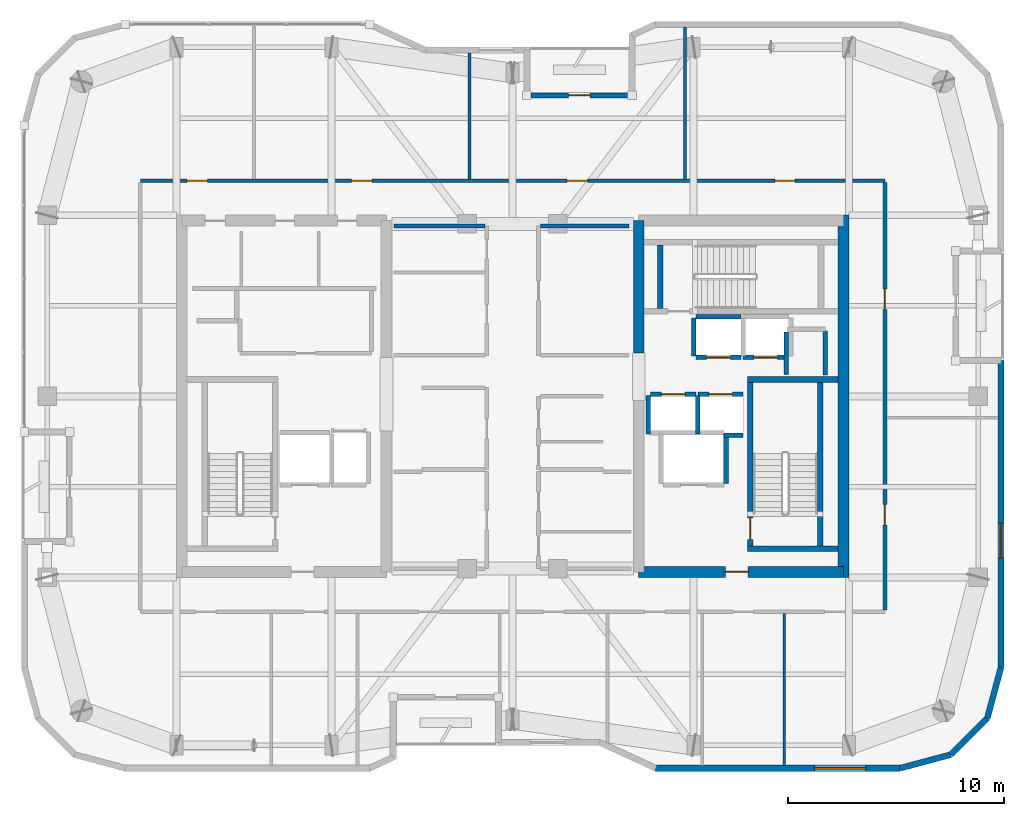
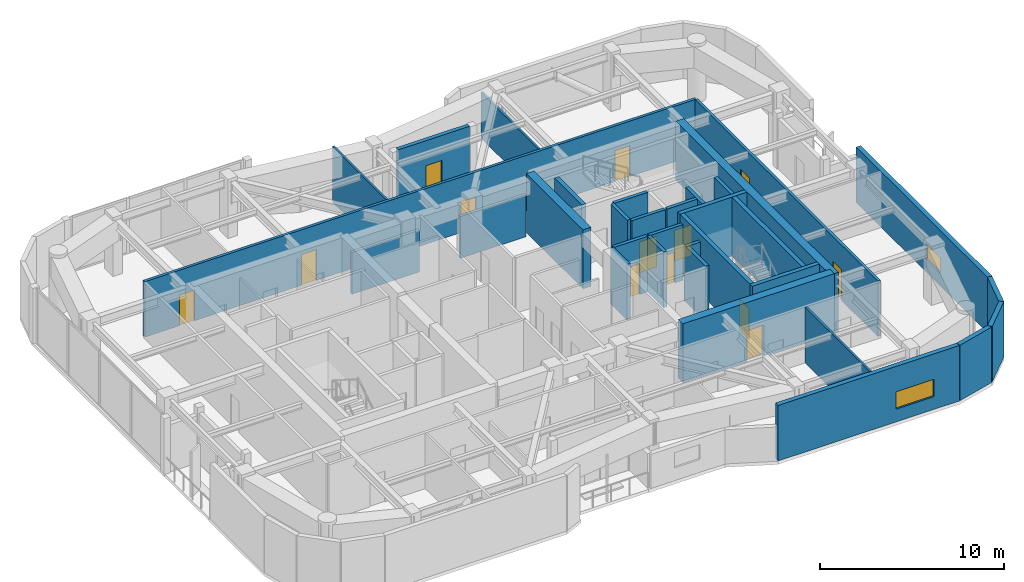
# One storey, part 12 of 15: 33 walls, 13 doors, 2 windows, 15 openings.
"""IFC4 building model written with IfcOpenShell, lengths in metres."""

from ifc_helpers import new_model, si_unit, direction, frame, frame_2d, origin, place, context, subcontext, project, spatial, rectangle, extrude, material, layer, layer_set, type_object, element, fill, save


model = new_model("IFC4")

# Units and contexts
model_context = context("Model", 3, precision=1e-05, world=origin(), true_north=direction((0.0, 1.0)))
body_context = subcontext(model_context, "Body", "Model", "MODEL_VIEW")
ifc_project = project(units=[si_unit("LENGTHUNIT", "METRE"), si_unit("AREAUNIT", "SQUARE_METRE"), si_unit("VOLUMEUNIT", "CUBIC_METRE"), si_unit("PLANEANGLEUNIT", "RADIAN"), si_unit("MASSUNIT", "GRAM", prefix="KILO")], contexts=[model_context])

# Site, building, storey
site_placement = place(None, origin())
site = spatial("IfcSite", under=ifc_project, at=site_placement, CompositionType="ELEMENT")
building_placement = place(site_placement, origin())
building = spatial("IfcBuilding", under=site, at=building_placement, Name="Kiyonajd Concourse Tower", CompositionType="ELEMENT")
storey_placement = place(building_placement, frame((0.0, 0.0, 318.0)))
storey = spatial("IfcBuildingStorey", under=building, at=storey_placement, Name="L80", CompositionType="ELEMENT", Elevation=318.0)

# Walls
ifc_material_1 = material(Name="Concrete C60/75", Category="concrete")
ifc_layer_1 = layer(ifc_material_1, 0.5)
ifc_layer_set_1 = layer_set([ifc_layer_1], Name="Concrete C60/75")
wall_type_1 = type_object("IfcWallType", Name="WL-CORE-500", PredefinedType="SHEAR", material=ifc_layer_set_1)
wall_1_placement = place(storey_placement, frame((53.85009765625, 38.0, 0.0), z_axis=(0.0, 0.0, 1.0), x_axis=(0.0, 1.0, 0.0)))
element("IfcWall", 1, at=wall_1_placement, inside=storey, type_object=wall_type_1, Name="L80 East Core Inner North Shear Wall", PredefinedType="SHEAR", context=body_context, shape_type="SweptSolid", body=[
    extrude(rectangle(XDim=6.14990234375, YDim=0.5, at=frame_2d((3.074951171875, 0.0))), origin(), (0.0, 0.0, 1.0), 3.89990234375),
])
wall_2_placement = place(storey_placement, frame((63.35009765625, 27.60009765625, 0.0), z_axis=(0.0, 0.0, 1.0), x_axis=(0.0, 1.0, 0.0)))
element("IfcWall", 2, at=wall_2_placement, inside=storey, type_object=wall_type_1, Name="L80 East Core Outer Shear Wall", PredefinedType="SHEAR", context=body_context, shape_type="SweptSolid", body=[
    extrude(rectangle(XDim=16.7998046875, YDim=0.5, at=frame_2d((8.39990234375, 0.0))), origin(), (0.0, 0.0, 1.0), 3.89990234375),
])

# Wall, opening, door
wall_3_placement = place(storey_placement, frame((53.85009765625, 27.85009765625, 0.0), z_axis=(0.0, 0.0, 1.0), x_axis=(1.0, 0.0, 0.0)))
wall_3 = element("IfcWall", 3, at=wall_3_placement, inside=storey, type_object=wall_type_1, Name="L80 East Core South Shear Wall", PredefinedType="SHEAR", context=body_context, shape_type="SweptSolid", body=[
    extrude(rectangle(XDim=9.5, YDim=0.5, at=frame_2d((4.75, 0.0))), origin(), (0.0, 0.0, 1.0), 3.89990234375),
])
opening_1_placement = place(wall_3_placement, frame((4.02490234375, 0.0, 0.0)))
opening_1 = element("IfcOpeningElement", 4, at=opening_1_placement, cuts=wall_3, Name="Opening DF5", PredefinedType="OPENING", context=body_context, shape_type="SweptSolid", body=[
    extrude(rectangle(XDim=1.050048828125, YDim=2.0400390625, at=frame_2d((0.52490234375, 1.02001953125))), frame((0.0, 0.260009765625, 0.0), z_axis=(0.0, -1.0, 0.0), x_axis=(1.0, 0.0, 0.0)), (0.0, 0.0, 1.0), 0.52001953125),
])
ifc_material_2 = material(Name="Brushed Stainless Steel Cab Assembly", Category="steel")
door_type_1 = type_object("IfcDoorType", Name="DR-FD45-1050", OperationType="NOTDEFINED", PredefinedType="DOOR", material=ifc_material_2)
door_1_placement = place(opening_1_placement, origin())
door_1 = element("IfcDoor", 5, at=door_1_placement, inside=storey, type_object=door_type_1, Name="L80 Firefighting Lift Lobby E Smoke Door", OperationType="SINGLE_SWING_RIGHT", OverallHeight=2.0400390625, OverallWidth=1.050048828125, PredefinedType="DOOR", context=body_context, shape_type="SweptSolid", body=[
    extrude(rectangle(XDim=1.050048828125, YDim=2.0400390625, at=frame_2d((0.52490234375, 1.02001953125))), frame((0.0, 0.02490234375, 0.0), z_axis=(0.0, -1.0, 0.0), x_axis=(1.0, 0.0, 0.0)), (0.0, 0.0, 1.0), 0.050048828125),
])
fill(opening_1, door_1)

# Wall, opening, window
ifc_material_3 = material(Name="Precast concrete C50/60", Category="concrete")
ifc_layer_2 = layer(ifc_material_3, 0.280029296875)
ifc_layer_set_2 = layer_set([ifc_layer_2], Name="Precast concrete C50/60")
wall_type_2 = type_object("IfcWallType", Name="WL-EXT-280", PredefinedType="SOLIDWALL", material=ifc_layer_set_2)
wall_4_placement = place(storey_placement, frame((70.659912109375, 37.659912109375, 0.0), z_axis=(0.0, 0.0, 1.0), x_axis=(0.0, -1.0, 0.0)))
wall_4 = element("IfcWall", 6, at=wall_4_placement, inside=storey, type_object=wall_type_2, Name="L80 Exterior Concrete Frame Wall 24", PredefinedType="SOLIDWALL", context=body_context, shape_type="SweptSolid", body=[
    extrude(rectangle(XDim=14.241455078125, YDim=0.280029296875, at=frame_2d((7.12060546875, 0.0))), origin(), (0.0, 0.0, 1.0), 3.679931640625),
])
opening_2_placement = place(wall_4_placement, frame((7.555908203125, 0.0, 0.85009765625)))
opening_2 = element("IfcOpeningElement", 7, at=opening_2_placement, cuts=wall_4, Name="Opening WN6", PredefinedType="OPENING", context=body_context, shape_type="SweptSolid", body=[
    extrude(rectangle(XDim=1.60009765625, YDim=1.0, at=frame_2d((0.800048828125, 0.5))), frame((0.0, 0.14990234375, 0.0), z_axis=(0.0, -1.0, 0.0), x_axis=(1.0, 0.0, 0.0)), (0.0, 0.0, 1.0), 0.300048828125),
])
ifc_material_4 = material(Name="Double Low-E Insulated Glass", Category="glass")
window_type_1 = type_object("IfcWindowType", Name="WN-VIS-1600x1000", PartitioningType="SINGLE_PANEL", PredefinedType="WINDOW", material=ifc_material_4)
window_1_placement = place(opening_2_placement, origin())
window_1 = element("IfcWindow", 8, at=window_1_placement, inside=storey, type_object=window_type_1, Name="L80 Modular Facade Vision Window 24", OverallHeight=1.0, OverallWidth=1.60009765625, PartitioningType="SINGLE_PANEL", PredefinedType="WINDOW", context=body_context, shape_type="SweptSolid", body=[
    extrude(rectangle(XDim=1.60009765625, YDim=1.0, at=frame_2d((0.800048828125, 0.5))), frame((0.0, 0.030029296875, 0.0), z_axis=(0.0, -1.0, 0.0), x_axis=(1.0, 0.0, 0.0)), (0.0, 0.0, 1.0), 0.06005859375),
])
fill(opening_2, window_1)

# Walls
wall_5_placement = place(storey_placement, frame((70.659912109375, 23.41845703125, 0.0), z_axis=(0.0, 0.0, 1.0), x_axis=(-0.258751159445, -0.965944013639, 0.0)))
element("IfcWall", 9, at=wall_5_placement, inside=storey, type_object=wall_type_2, Name="L80 Exterior Concrete Frame Wall 25", PredefinedType="SOLIDWALL", context=body_context, shape_type="SweptSolid", body=[
    extrude(rectangle(XDim=2.4287109375, YDim=0.280029296875, at=frame_2d((1.21435546875, 0.0))), origin(), (0.0, 0.0, 1.0), 3.679931640625),
])
wall_6_placement = place(storey_placement, frame((70.031494140625, 21.072509765625, 0.0), z_axis=(0.0, 0.0, 1.0), x_axis=(-0.707106781187, -0.707106781187, 0.0)))
element("IfcWall", 10, at=wall_6_placement, inside=storey, type_object=wall_type_2, Name="L80 Exterior Concrete Frame Wall 26", PredefinedType="SOLIDWALL", context=body_context, shape_type="SweptSolid", body=[
    extrude(rectangle(XDim=2.409912109375, YDim=0.280029296875, at=frame_2d((1.205078125, 0.0))), origin(), (0.0, 0.0, 1.0), 3.679931640625),
])
wall_7_placement = place(storey_placement, frame((68.327392578125, 19.368408203125, 0.0), z_axis=(0.0, 0.0, 1.0), x_axis=(-0.965937282298, -0.25877628691, 0.0)))
element("IfcWall", 11, at=wall_7_placement, inside=storey, type_object=wall_type_2, Name="L80 Exterior Concrete Frame Wall 27", PredefinedType="SOLIDWALL", context=body_context, shape_type="SweptSolid", body=[
    extrude(rectangle(XDim=2.428466796875, YDim=0.280029296875, at=frame_2d((1.21435546875, 0.0))), origin(), (0.0, 0.0, 1.0), 3.679931640625),
])

# Wall, opening, window
wall_8_placement = place(storey_placement, frame((65.981689453125, 18.739990234375, 0.0), z_axis=(0.0, 0.0, 1.0), x_axis=(-1.0, 0.0, 0.0)))
wall_8 = element("IfcWall", 12, at=wall_8_placement, inside=storey, type_object=wall_type_2, Name="L80 Exterior Concrete Frame Wall 28", PredefinedType="SOLIDWALL", context=body_context, shape_type="SweptSolid", body=[
    extrude(rectangle(XDim=11.35107421875, YDim=0.280029296875, at=frame_2d((5.675537109375, 0.0))), origin(), (0.0, 0.0, 1.0), 3.679931640625),
])
opening_3_placement = place(wall_8_placement, frame((1.5859375, 0.0, 0.85009765625)))
opening_3 = element("IfcOpeningElement", 13, at=opening_3_placement, cuts=wall_8, Name="Opening WN4", PredefinedType="OPENING", context=body_context, shape_type="SweptSolid", body=[
    extrude(rectangle(XDim=2.39990234375, YDim=1.14990234375, at=frame_2d((1.199951171875, 0.574951171875))), frame((0.0, 0.14990234375, 0.0), z_axis=(0.0, -1.0, 0.0), x_axis=(1.0, 0.0, 0.0)), (0.0, 0.0, 1.0), 0.300048828125),
])
window_type_2 = type_object("IfcWindowType", Name="WN-VIS-2400x1150", PartitioningType="SINGLE_PANEL", PredefinedType="WINDOW", material=ifc_material_4)
window_2_placement = place(opening_3_placement, origin())
window_2 = element("IfcWindow", 14, at=window_2_placement, inside=storey, type_object=window_type_2, Name="L80 Modular Facade Vision Window 28", OverallHeight=1.14990234375, OverallWidth=2.39990234375, PartitioningType="SINGLE_PANEL", PredefinedType="WINDOW", context=body_context, shape_type="SweptSolid", body=[
    extrude(rectangle(XDim=2.39990234375, YDim=1.14990234375, at=frame_2d((1.199951171875, 0.574951171875))), frame((0.0, 0.030029296875, 0.0), z_axis=(0.0, -1.0, 0.0), x_axis=(1.0, 0.0, 0.0)), (0.0, 0.0, 1.0), 0.06005859375),
])
fill(opening_3, window_2)

# Wall, opening, door
ifc_layer_3 = layer(ifc_material_3, 0.239990234375)
ifc_layer_set_3 = layer_set([ifc_layer_3], Name="Precast concrete C50/60")
wall_type_3 = type_object("IfcWallType", Name="WL-LOG-240", PredefinedType="SOLIDWALL", material=ifc_layer_set_3)
wall_9_placement = place(storey_placement, frame((48.85498046875, 49.9599609375, 0.0), z_axis=(0.0, 0.0, 1.0), x_axis=(1.0, 0.0, 0.0)))
wall_9 = element("IfcWall", 15, at=wall_9_placement, inside=storey, type_object=wall_type_3, Name="L80 Recessed Loggia Thermal Wall LOG-N", PredefinedType="SOLIDWALL", context=body_context, shape_type="SweptSolid", body=[
    extrude(rectangle(XDim=4.489990234375, YDim=0.239990234375, at=frame_2d((2.2451171875, 0.0))), origin(), (0.0, 0.0, 1.0), 3.679931640625),
])
opening_4_placement = place(wall_9_placement, frame((1.7451171875, 0.0, 0.0)))
opening_4 = element("IfcOpeningElement", 16, at=opening_4_placement, cuts=wall_9, Name="Opening DL1", PredefinedType="OPENING", context=body_context, shape_type="SweptSolid", body=[
    extrude(rectangle(XDim=1.0, YDim=2.02001953125, at=frame_2d((0.5, 1.010009765625))), frame((0.0, 0.1298828125, 0.0), z_axis=(0.0, -1.0, 0.0), x_axis=(1.0, 0.0, 0.0)), (0.0, 0.0, 1.0), 0.260009765625),
])
ifc_material_5 = material(Name="Thermally Broken Anodised Aluminium", Category="aluminium")
door_type_2 = type_object("IfcDoorType", Name="DR-LOG-1000", OperationType="NOTDEFINED", PredefinedType="DOOR", material=ifc_material_5)
door_2_placement = place(opening_4_placement, origin())
door_2 = element("IfcDoor", 17, at=door_2_placement, inside=storey, type_object=door_type_2, Name="L80 Engawa Loggia Access Door LOG-N", OperationType="SINGLE_SWING_RIGHT", OverallHeight=2.02001953125, OverallWidth=1.0, PredefinedType="DOOR", context=body_context, shape_type="SweptSolid", body=[
    extrude(rectangle(XDim=1.0, YDim=2.02001953125, at=frame_2d((0.5, 1.010009765625))), frame((0.0, 0.02490234375, 0.0), z_axis=(0.0, -1.0, 0.0), x_axis=(1.0, 0.0, 0.0)), (0.0, 0.0, 1.0), 0.050048828125),
])
fill(opening_4, door_2)

# Walls
ifc_material_6 = material(Name="Gypsum Board on Cold-Formed Steel Stud", Category="steel")
ifc_layer_4 = layer(ifc_material_6, 0.125)
ifc_layer_set_4 = layer_set([ifc_layer_4], Name="Gypsum Board on Cold-Formed Steel Stud")
wall_type_4 = type_object("IfcWallType", Name="WL-PART-125", PredefinedType="PARTITIONING", material=ifc_layer_set_4)
wall_10_placement = place(storey_placement, frame((60.60009765625, 18.875, 0.0), z_axis=(0.0, 0.0, 1.0), x_axis=(0.0, 1.0, 0.0)))
element("IfcWall", 18, at=wall_10_placement, inside=storey, type_object=wall_type_4, Name="L80 Interior Partition Wall", PredefinedType="PARTITIONING", context=body_context, shape_type="SweptSolid", body=[
    extrude(rectangle(XDim=7.0380859375, YDim=0.125, at=frame_2d((3.51904296875, 0.0))), origin(), (0.0, 0.0, 1.0), 3.679931640625),
])
wall_11_placement = place(storey_placement, frame((46.0, 46.0869140625, 0.0), z_axis=(0.0, 0.0, 1.0), x_axis=(0.0, 1.0, 0.0)))
element("IfcWall", 19, at=wall_11_placement, inside=storey, type_object=wall_type_4, Name="L80 Interior Partition Wall", PredefinedType="PARTITIONING", context=body_context, shape_type="SweptSolid", body=[
    extrude(rectangle(XDim=5.838134765625, YDim=0.125, at=frame_2d((2.9189453125, 0.0))), origin(), (0.0, 0.0, 1.0), 3.679931640625),
])
wall_12_placement = place(storey_placement, frame((56.0, 46.0869140625, 0.0), z_axis=(0.0, 0.0, 1.0), x_axis=(0.0, 1.0, 0.0)))
element("IfcWall", 20, at=wall_12_placement, inside=storey, type_object=wall_type_4, Name="L80 Interior Partition Wall", PredefinedType="PARTITIONING", context=body_context, shape_type="SweptSolid", body=[
    extrude(rectangle(XDim=7.0380859375, YDim=0.125, at=frame_2d((3.51904296875, 0.0))), origin(), (0.0, 0.0, 1.0), 3.04296875),
])
ifc_layer_5 = layer(ifc_material_6, 0.2099609375)
ifc_layer_set_5 = layer_set([ifc_layer_5], Name="Gypsum Board on Cold-Formed Steel Stud")
wall_type_5 = type_object("IfcWallType", Name="WL-SHAFT-210", PredefinedType="PARTITIONING", material=ifc_layer_set_5)
wall_13_placement = place(storey_placement, frame((60.699951171875, 37.02001953125, 0.0), z_axis=(0.0, 0.0, 1.0), x_axis=(0.0, 1.0, 0.0)))
element("IfcWall", 21, at=wall_13_placement, inside=storey, type_object=wall_type_5, Name="L80 Shaft Enclosure Wall", PredefinedType="PARTITIONING", context=body_context, shape_type="SweptSolid", body=[
    extrude(rectangle(XDim=1.9599609375, YDim=0.2099609375, at=frame_2d((0.97998046875, 0.0))), origin(), (0.0, 0.0, 1.0), 3.679931640625),
])
wall_14_placement = place(storey_placement, frame((62.5, 36.97998046875, 0.0), z_axis=(0.0, 0.0, 1.0), x_axis=(0.0, 1.0, 0.0)))
element("IfcWall", 22, at=wall_14_placement, inside=storey, type_object=wall_type_5, Name="L80 Shaft Enclosure Wall", PredefinedType="PARTITIONING", context=body_context, shape_type="SweptSolid", body=[
    extrude(rectangle(XDim=2.0400390625, YDim=0.2099609375, at=frame_2d((1.02001953125, 0.0))), origin(), (0.0, 0.0, 1.0), 3.679931640625),
])
wall_15_placement = place(storey_placement, frame((57.89990234375, 31.9599609375, 0.0), z_axis=(0.0, 0.0, 1.0), x_axis=(0.0, 1.0, 0.0)))
element("IfcWall", 23, at=wall_15_placement, inside=storey, type_object=wall_type_5, Name="L80 Shaft Enclosure Wall", PredefinedType="PARTITIONING", context=body_context, shape_type="SweptSolid", body=[
    extrude(rectangle(XDim=2.280029296875, YDim=0.2099609375, at=frame_2d((1.14013671875, 0.0))), origin(), (0.0, 0.0, 1.0), 3.679931640625),
])

# Wall, opening, door
wall_16_placement = place(storey_placement, frame((54.39990234375, 36.10009765625, 0.0), z_axis=(0.0, 0.0, 1.0), x_axis=(1.0, 0.0, 0.0)))
wall_16 = element("IfcWall", 24, at=wall_16_placement, inside=storey, type_object=wall_type_5, Name="L80 Shaft Enclosure Wall", PredefinedType="PARTITIONING", context=body_context, shape_type="SweptSolid", body=[
    extrude(rectangle(XDim=2.10009765625, YDim=0.2099609375, at=frame_2d((1.050048828125, 0.0))), origin(), (0.0, 0.0, 1.0), 3.679931640625),
])
opening_5_placement = place(wall_16_placement, frame((0.5, 0.0, 0.0)))
opening_5 = element("IfcOpeningElement", 25, at=opening_5_placement, cuts=wall_16, Name="Opening LD1", PredefinedType="OPENING", context=body_context, shape_type="SweptSolid", body=[
    extrude(rectangle(XDim=1.10009765625, YDim=2.0400390625, at=frame_2d((0.550048828125, 1.02001953125))), frame((0.0, 0.114990234375, 0.0), z_axis=(0.0, -1.0, 0.0), x_axis=(1.0, 0.0, 0.0)), (0.0, 0.0, 1.0), 0.22998046875),
])
door_type_3 = type_object("IfcDoorType", Name="DR-LD-1100", OperationType="DOUBLE_DOOR_SLIDING", PredefinedType="DOOR", material=ifc_material_2)
door_3_placement = place(opening_5_placement, origin())
door_3 = element("IfcDoor", 26, at=door_3_placement, inside=storey, type_object=door_type_3, Name="L80 Lift PL-H1 Sliding Landing Door", OperationType="DOUBLE_DOOR_SLIDING", OverallHeight=2.0400390625, OverallWidth=1.10009765625, PredefinedType="DOOR", context=body_context, shape_type="SweptSolid", body=[
    extrude(rectangle(XDim=1.10009765625, YDim=2.0400390625, at=frame_2d((0.550048828125, 1.02001953125))), frame((0.0, 0.02490234375, 0.0), z_axis=(0.0, -1.0, 0.0), x_axis=(1.0, 0.0, 0.0)), (0.0, 0.0, 1.0), 0.050048828125),
])
fill(opening_5, door_3)

# Walls
for number, where, z_axis, x_axis, name in (
    (27, (54.300048828125, 34.260009765625, 0.0), (0.0, 0.0, 1.0), (0.0, 1.0, 0.0), "L80 Shaft Enclosure Wall"),
    (28, (56.60009765625, 34.260009765625, 0.0), (0.0, 0.0, 1.0), (0.0, 1.0, 0.0), "L80 Shaft Enclosure Wall"),
):
    element("IfcWall", number, at=place(storey_placement, frame(where, z_axis=z_axis, x_axis=x_axis)), inside=storey, type_object=wall_type_5, Name=name, PredefinedType="PARTITIONING", context=body_context, shape_type="SweptSolid", body=[
        extrude(rectangle(XDim=1.780029296875, YDim=0.2099609375, at=frame_2d((0.89013671875, 0.0))), origin(), (0.0, 0.0, 1.0), 3.679931640625),
    ])

# Wall, opening, door
wall_17_placement = place(storey_placement, frame((56.60009765625, 36.10009765625, 0.0), z_axis=(0.0, 0.0, 1.0), x_axis=(1.0, 0.0, 0.0)))
wall_17 = element("IfcWall", 29, at=wall_17_placement, inside=storey, type_object=wall_type_5, Name="L80 Shaft Enclosure Wall", PredefinedType="PARTITIONING", context=body_context, shape_type="SweptSolid", body=[
    extrude(rectangle(XDim=2.099853515625, YDim=0.2099609375, at=frame_2d((1.0498046875, 0.0))), origin(), (0.0, 0.0, 1.0), 3.679931640625),
])
opening_6_placement = place(wall_17_placement, frame((0.5, 0.0, 0.0)))
opening_6 = element("IfcOpeningElement", 30, at=opening_6_placement, cuts=wall_17, Name="Opening LD1", PredefinedType="OPENING", context=body_context, shape_type="SweptSolid", body=[
    extrude(rectangle(XDim=1.10009765625, YDim=2.0400390625, at=frame_2d((0.550048828125, 1.02001953125))), frame((0.0, 0.114990234375, 0.0), z_axis=(0.0, -1.0, 0.0), x_axis=(1.0, 0.0, 0.0)), (0.0, 0.0, 1.0), 0.22998046875),
])
door_4_placement = place(opening_6_placement, origin())
door_4 = element("IfcDoor", 31, at=door_4_placement, inside=storey, type_object=door_type_3, Name="L80 Lift PL-H2 Sliding Landing Door", OperationType="DOUBLE_DOOR_SLIDING", OverallHeight=2.0400390625, OverallWidth=1.10009765625, PredefinedType="DOOR", context=body_context, shape_type="SweptSolid", body=[
    extrude(rectangle(XDim=1.10009765625, YDim=2.0400390625, at=frame_2d((0.550048828125, 1.02001953125))), frame((0.0, 0.02490234375, 0.0), z_axis=(0.0, -1.0, 0.0), x_axis=(1.0, 0.0, 0.0)), (0.0, 0.0, 1.0), 0.050048828125),
])
fill(opening_6, door_4)

# Wall
wall_18_placement = place(storey_placement, frame((57.800048828125, 34.199951171875, 0.0), z_axis=(0.0, 0.0, 1.0), x_axis=(1.0, 0.0, 0.0)))
element("IfcWall", 32, at=wall_18_placement, inside=storey, type_object=wall_type_5, Name="L80 Shaft Enclosure Wall", PredefinedType="PARTITIONING", context=body_context, shape_type="SweptSolid", body=[
    extrude(rectangle(XDim=0.89990234375, YDim=0.2099609375, at=frame_2d((0.449951171875, 0.0))), origin(), (0.0, 0.0, 1.0), 3.679931640625),
])

# Wall, opening, door
wall_19_placement = place(storey_placement, frame((56.5, 37.800048828125, 0.0), z_axis=(0.0, 0.0, 1.0), x_axis=(1.0, 0.0, 0.0)))
wall_19 = element("IfcWall", 33, at=wall_19_placement, inside=storey, type_object=wall_type_5, Name="L80 Shaft Enclosure Wall", PredefinedType="PARTITIONING", context=body_context, shape_type="SweptSolid", body=[
    extrude(rectangle(XDim=2.10009765625, YDim=0.2099609375, at=frame_2d((1.050048828125, 0.0))), origin(), (0.0, 0.0, 1.0), 3.679931640625),
])
opening_7_placement = place(wall_19_placement, frame((0.5, 0.0, 0.0)))
opening_7 = element("IfcOpeningElement", 34, at=opening_7_placement, cuts=wall_19, Name="Opening LD1", PredefinedType="OPENING", context=body_context, shape_type="SweptSolid", body=[
    extrude(rectangle(XDim=1.10009765625, YDim=2.0400390625, at=frame_2d((0.550048828125, 1.02001953125))), frame((0.0, 0.114990234375, 0.0), z_axis=(0.0, -1.0, 0.0), x_axis=(1.0, 0.0, 0.0)), (0.0, 0.0, 1.0), 0.22998046875),
])
door_5_placement = place(opening_7_placement, origin())
door_5 = element("IfcDoor", 35, at=door_5_placement, inside=storey, type_object=door_type_3, Name="L80 Lift PL-H3 Sliding Landing Door", OperationType="DOUBLE_DOOR_SLIDING", OverallHeight=2.0400390625, OverallWidth=1.10009765625, PredefinedType="DOOR", context=body_context, shape_type="SweptSolid", body=[
    extrude(rectangle(XDim=1.10009765625, YDim=2.0400390625, at=frame_2d((0.550048828125, 1.02001953125))), frame((0.0, 0.02490234375, 0.0), z_axis=(0.0, -1.0, 0.0), x_axis=(1.0, 0.0, 0.0)), (0.0, 0.0, 1.0), 0.050048828125),
])
fill(opening_7, door_5)

# Walls
wall_20_placement = place(storey_placement, frame((56.5, 39.699951171875, 0.0), z_axis=(0.0, 0.0, 1.0), x_axis=(1.0, 0.0, 0.0)))
element("IfcWall", 36, at=wall_20_placement, inside=storey, type_object=wall_type_5, Name="L80 Shaft Enclosure Wall", PredefinedType="PARTITIONING", context=body_context, shape_type="SweptSolid", body=[
    extrude(rectangle(XDim=2.10009765625, YDim=0.2099609375, at=frame_2d((1.050048828125, 0.0))), origin(), (0.0, 0.0, 1.0), 3.679931640625),
])
wall_21_placement = place(storey_placement, frame((56.39990234375, 37.860107421875, 0.0), z_axis=(0.0, 0.0, 1.0), x_axis=(0.0, 1.0, 0.0)))
element("IfcWall", 37, at=wall_21_placement, inside=storey, type_object=wall_type_5, Name="L80 Shaft Enclosure Wall", PredefinedType="PARTITIONING", context=body_context, shape_type="SweptSolid", body=[
    extrude(rectangle(XDim=1.77978515625, YDim=0.2099609375, at=frame_2d((0.889892578125, 0.0))), origin(), (0.0, 0.0, 1.0), 3.679931640625),
])

# Wall, opening, door
wall_22_placement = place(storey_placement, frame((58.699951171875, 37.800048828125, 0.0), z_axis=(0.0, 0.0, 1.0), x_axis=(1.0, 0.0, 0.0)))
wall_22 = element("IfcWall", 38, at=wall_22_placement, inside=storey, type_object=wall_type_5, Name="L80 Shaft Enclosure Wall", PredefinedType="PARTITIONING", context=body_context, shape_type="SweptSolid", body=[
    extrude(rectangle(XDim=2.10009765625, YDim=0.2099609375, at=frame_2d((1.050048828125, 0.0))), origin(), (0.0, 0.0, 1.0), 3.679931640625),
])
opening_8_placement = place(wall_22_placement, frame((0.5, 0.0, 0.0)))
opening_8 = element("IfcOpeningElement", 39, at=opening_8_placement, cuts=wall_22, Name="Opening LD1", PredefinedType="OPENING", context=body_context, shape_type="SweptSolid", body=[
    extrude(rectangle(XDim=1.10009765625, YDim=2.0400390625, at=frame_2d((0.550048828125, 1.02001953125))), frame((0.0, 0.114990234375, 0.0), z_axis=(0.0, -1.0, 0.0), x_axis=(1.0, 0.0, 0.0)), (0.0, 0.0, 1.0), 0.22998046875),
])
door_6_placement = place(opening_8_placement, origin())
door_6 = element("IfcDoor", 40, at=door_6_placement, inside=storey, type_object=door_type_3, Name="L80 Lift PL-H4 Sliding Landing Door", OperationType="DOUBLE_DOOR_SLIDING", OverallHeight=2.0400390625, OverallWidth=1.10009765625, PredefinedType="DOOR", context=body_context, shape_type="SweptSolid", body=[
    extrude(rectangle(XDim=1.10009765625, YDim=2.0400390625, at=frame_2d((0.550048828125, 1.02001953125))), frame((0.0, 0.02490234375, 0.0), z_axis=(0.0, -1.0, 0.0), x_axis=(1.0, 0.0, 0.0)), (0.0, 0.0, 1.0), 0.050048828125),
])
fill(opening_8, door_6)

# Walls
ifc_layer_6 = layer(ifc_material_6, 0.169921875)
ifc_layer_set_6 = layer_set([ifc_layer_6], Name="Gypsum Board on Cold-Formed Steel Stud")
wall_type_6 = type_object("IfcWallType", Name="WL-SMK-170", PredefinedType="PARTITIONING", material=ifc_layer_set_6)
wall_23_placement = place(storey_placement, frame((42.5, 43.89990234375, 0.0), z_axis=(0.0, 0.0, 1.0), x_axis=(1.0, 0.0, 0.0)))
element("IfcWall", 41, at=wall_23_placement, inside=storey, type_object=wall_type_6, Name="L80 Interior Partition Wall", PredefinedType="PARTITIONING", context=body_context, shape_type="SweptSolid", body=[
    extrude(rectangle(XDim=4.212890625, YDim=0.169921875, at=frame_2d((2.1064453125, 0.0))), origin(), (0.0, 0.0, 1.0), 2.764892578125),
])
wall_24_placement = place(storey_placement, frame((49.287109375, 43.89990234375, 0.0), z_axis=(0.0, 0.0, 1.0), x_axis=(1.0, 0.0, 0.0)))
element("IfcWall", 42, at=wall_24_placement, inside=storey, type_object=wall_type_6, Name="L80 Interior Partition Wall", PredefinedType="PARTITIONING", context=body_context, shape_type="SweptSolid", body=[
    extrude(rectangle(XDim=4.11279296875, YDim=0.169921875, at=frame_2d((2.056396484375, 0.0))), origin(), (0.0, 0.0, 1.0), 2.764892578125),
])

# Wall, openings, doors
wall_25_placement = place(storey_placement, frame((30.72509765625, 46.0, 0.0), z_axis=(0.0, 0.0, 1.0), x_axis=(1.0, 0.0, 0.0)))
wall_25 = element("IfcWall", 43, at=wall_25_placement, inside=storey, type_object=wall_type_6, Name="L80 Interior Partition Wall", PredefinedType="PARTITIONING", context=body_context, shape_type="SweptSolid", body=[
    extrude(rectangle(XDim=34.5498046875, YDim=0.169921875, at=frame_2d((17.27490234375, 0.0))), origin(), (0.0, 0.0, 1.0), 3.679931640625),
])
opening_9_placement = place(wall_25_placement, frame((2.162109375, 0.0, 0.0)))
opening_9 = element("IfcOpeningElement", 44, at=opening_9_placement, cuts=wall_25, Name="Opening DI1", PredefinedType="OPENING", context=body_context, shape_type="SweptSolid", body=[
    extrude(rectangle(XDim=0.949951171875, YDim=2.0400390625, at=frame_2d((0.47509765625, 1.02001953125))), frame((0.0, 0.094970703125, 0.0), z_axis=(0.0, -1.0, 0.0), x_axis=(1.0, 0.0, 0.0)), (0.0, 0.0, 1.0), 0.18994140625),
])
opening_10_placement = place(wall_25_placement, frame((9.800048828125, 0.0, 0.0)))
opening_10 = element("IfcOpeningElement", 45, at=opening_10_placement, cuts=wall_25, Name="Opening DI1", PredefinedType="OPENING", context=body_context, shape_type="SweptSolid", body=[
    extrude(rectangle(XDim=0.949951171875, YDim=2.0400390625, at=frame_2d((0.47509765625, 1.02001953125))), frame((0.0, 0.094970703125, 0.0), z_axis=(0.0, -1.0, 0.0), x_axis=(1.0, 0.0, 0.0)), (0.0, 0.0, 1.0), 0.18994140625),
])
opening_11_placement = place(wall_25_placement, frame((19.800048828125, 0.0, 0.0)))
opening_11 = element("IfcOpeningElement", 46, at=opening_11_placement, cuts=wall_25, Name="Opening DI1", PredefinedType="OPENING", context=body_context, shape_type="SweptSolid", body=[
    extrude(rectangle(XDim=0.949951171875, YDim=2.0400390625, at=frame_2d((0.47509765625, 1.02001953125))), frame((0.0, 0.094970703125, 0.0), z_axis=(0.0, -1.0, 0.0), x_axis=(1.0, 0.0, 0.0)), (0.0, 0.0, 1.0), 0.18994140625),
])
opening_12_placement = place(wall_25_placement, frame((29.43798828125, 0.0, 0.0)))
opening_12 = element("IfcOpeningElement", 47, at=opening_12_placement, cuts=wall_25, Name="Opening DI1", PredefinedType="OPENING", context=body_context, shape_type="SweptSolid", body=[
    extrude(rectangle(XDim=0.949951171875, YDim=2.0400390625, at=frame_2d((0.47509765625, 1.02001953125))), frame((0.0, 0.094970703125, 0.0), z_axis=(0.0, -1.0, 0.0), x_axis=(1.0, 0.0, 0.0)), (0.0, 0.0, 1.0), 0.18994140625),
])
ifc_material_7 = material(Name="Natural Oak Acoustic Timber Veneer", Category="wood")
door_type_4 = type_object("IfcDoorType", Name="DR-INT-950", OperationType="NOTDEFINED", PredefinedType="DOOR", material=ifc_material_7)
door_7_placement = place(opening_9_placement, origin())
door_7 = element("IfcDoor", 48, at=door_7_placement, inside=storey, type_object=door_type_4, Name="L80 Interior Door", OperationType="SINGLE_SWING_RIGHT", OverallHeight=2.0400390625, OverallWidth=0.949951171875, PredefinedType="DOOR", context=body_context, shape_type="SweptSolid", body=[
    extrude(rectangle(XDim=0.949951171875, YDim=2.0400390625, at=frame_2d((0.47509765625, 1.02001953125))), frame((0.0, 0.02490234375, 0.0), z_axis=(0.0, -1.0, 0.0), x_axis=(1.0, 0.0, 0.0)), (0.0, 0.0, 1.0), 0.050048828125),
])
fill(opening_9, door_7)
door_8_placement = place(opening_10_placement, origin())
door_8 = element("IfcDoor", 49, at=door_8_placement, inside=storey, type_object=door_type_4, Name="L80 Interior Door", OperationType="SINGLE_SWING_LEFT", OverallHeight=2.0400390625, OverallWidth=0.949951171875, PredefinedType="DOOR", context=body_context, shape_type="SweptSolid", body=[
    extrude(rectangle(XDim=0.949951171875, YDim=2.0400390625, at=frame_2d((0.47509765625, 1.02001953125))), frame((0.0, 0.02490234375, 0.0), z_axis=(0.0, -1.0, 0.0), x_axis=(1.0, 0.0, 0.0)), (0.0, 0.0, 1.0), 0.050048828125),
])
fill(opening_10, door_8)
door_9_placement = place(opening_11_placement, origin())
door_9 = element("IfcDoor", 50, at=door_9_placement, inside=storey, type_object=door_type_4, Name="L80 Interior Door", OperationType="SINGLE_SWING_RIGHT", OverallHeight=2.0400390625, OverallWidth=0.949951171875, PredefinedType="DOOR", context=body_context, shape_type="SweptSolid", body=[
    extrude(rectangle(XDim=0.949951171875, YDim=2.0400390625, at=frame_2d((0.47509765625, 1.02001953125))), frame((0.0, 0.02490234375, 0.0), z_axis=(0.0, -1.0, 0.0), x_axis=(1.0, 0.0, 0.0)), (0.0, 0.0, 1.0), 0.050048828125),
])
fill(opening_11, door_9)
door_10_placement = place(opening_12_placement, origin())
door_10 = element("IfcDoor", 51, at=door_10_placement, inside=storey, type_object=door_type_4, Name="L80 Interior Door", OperationType="SINGLE_SWING_LEFT", OverallHeight=2.0400390625, OverallWidth=0.949951171875, PredefinedType="DOOR", context=body_context, shape_type="SweptSolid", body=[
    extrude(rectangle(XDim=0.949951171875, YDim=2.0400390625, at=frame_2d((0.47509765625, 1.02001953125))), frame((0.0, 0.02490234375, 0.0), z_axis=(0.0, -1.0, 0.0), x_axis=(1.0, 0.0, 0.0)), (0.0, 0.0, 1.0), 0.050048828125),
])
fill(opening_12, door_10)

wall_26_placement = place(storey_placement, frame((65.27490234375, 26.0869140625, 0.0), z_axis=(0.0, 0.0, 1.0), x_axis=(0.0, 1.0, 0.0)))
wall_26 = element("IfcWall", 52, at=wall_26_placement, inside=storey, type_object=wall_type_6, Name="L80 Interior Partition Wall", PredefinedType="PARTITIONING", context=body_context, shape_type="SweptSolid", body=[
    extrude(rectangle(XDim=19.826171875, YDim=0.169921875, at=frame_2d((9.9130859375, 0.0))), origin(), (0.0, 0.0, 1.0), 3.679931640625),
])
opening_13_placement = place(wall_26_placement, frame((3.93798828125, 0.0, 0.0)))
opening_13 = element("IfcOpeningElement", 53, at=opening_13_placement, cuts=wall_26, Name="Opening DI1", PredefinedType="OPENING", context=body_context, shape_type="SweptSolid", body=[
    extrude(rectangle(XDim=0.949951171875, YDim=2.0400390625, at=frame_2d((0.47509765625, 1.02001953125))), frame((0.0, 0.094970703125, 0.0), z_axis=(0.0, -1.0, 0.0), x_axis=(1.0, 0.0, 0.0)), (0.0, 0.0, 1.0), 0.18994140625),
])
opening_14_placement = place(wall_26_placement, frame((13.93798828125, 0.0, 0.0)))
opening_14 = element("IfcOpeningElement", 54, at=opening_14_placement, cuts=wall_26, Name="Opening DI1", PredefinedType="OPENING", context=body_context, shape_type="SweptSolid", body=[
    extrude(rectangle(XDim=0.949951171875, YDim=2.0400390625, at=frame_2d((0.47509765625, 1.02001953125))), frame((0.0, 0.094970703125, 0.0), z_axis=(0.0, -1.0, 0.0), x_axis=(1.0, 0.0, 0.0)), (0.0, 0.0, 1.0), 0.18994140625),
])
door_11_placement = place(opening_13_placement, origin())
door_11 = element("IfcDoor", 55, at=door_11_placement, inside=storey, type_object=door_type_4, Name="L80 Interior Door", OperationType="SINGLE_SWING_LEFT", OverallHeight=2.0400390625, OverallWidth=0.949951171875, PredefinedType="DOOR", context=body_context, shape_type="SweptSolid", body=[
    extrude(rectangle(XDim=0.949951171875, YDim=2.0400390625, at=frame_2d((0.47509765625, 1.02001953125))), frame((0.0, 0.02490234375, 0.0), z_axis=(0.0, -1.0, 0.0), x_axis=(1.0, 0.0, 0.0)), (0.0, 0.0, 1.0), 0.050048828125),
])
fill(opening_13, door_11)
door_12_placement = place(opening_14_placement, origin())
door_12 = element("IfcDoor", 56, at=door_12_placement, inside=storey, type_object=door_type_4, Name="L80 Interior Door", OperationType="SINGLE_SWING_RIGHT", OverallHeight=2.0400390625, OverallWidth=0.949951171875, PredefinedType="DOOR", context=body_context, shape_type="SweptSolid", body=[
    extrude(rectangle(XDim=0.949951171875, YDim=2.0400390625, at=frame_2d((0.47509765625, 1.02001953125))), frame((0.0, 0.02490234375, 0.0), z_axis=(0.0, -1.0, 0.0), x_axis=(1.0, 0.0, 0.0)), (0.0, 0.0, 1.0), 0.050048828125),
])
fill(opening_14, door_12)

# Walls
ifc_material_8 = material(Name="Concrete C50/60", Category="concrete")
ifc_layer_7 = layer(ifc_material_8, 0.260009765625)
ifc_layer_set_7 = layer_set([ifc_layer_7], Name="Concrete C50/60")
wall_type_7 = type_object("IfcWallType", Name="WL-STAIR-260", PredefinedType="SHEAR", material=ifc_layer_set_7)
for number, where, z_axis, x_axis, name in (
    (57, (58.889892578125, 28.919921875, 0.0), (0.0, 0.0, 1.0), (1.0, 0.0, 0.0), "L80 Stair ST2 Structural South Wall"),
    (58, (58.889892578125, 36.780029296875, 0.0), (0.0, 0.0, 1.0), (1.0, 0.0, 0.0), "L80 Stair ST2 Structural North Wall"),
):
    element("IfcWall", number, at=place(storey_placement, frame(where, z_axis=z_axis, x_axis=x_axis)), inside=storey, type_object=wall_type_7, Name=name, PredefinedType="SHEAR", context=body_context, shape_type="SweptSolid", body=[
        extrude(rectangle(XDim=4.210205078125, YDim=0.260009765625, at=frame_2d((2.10498046875, 0.0))), origin(), (0.0, 0.0, 1.0), 3.89990234375),
    ])

# Wall, opening, door
wall_27_placement = place(storey_placement, frame((59.02001953125, 29.050048828125, 0.0), z_axis=(0.0, 0.0, 1.0), x_axis=(0.0, 1.0, 0.0)))
wall_27 = element("IfcWall", 59, at=wall_27_placement, inside=storey, type_object=wall_type_7, Name="L80 Stair ST2 Structural West Wall", PredefinedType="SHEAR", context=body_context, shape_type="SweptSolid", body=[
    extrude(rectangle(XDim=7.599853515625, YDim=0.260009765625, at=frame_2d((3.7998046875, 0.0))), origin(), (0.0, 0.0, 1.0), 3.89990234375),
])
opening_15_placement = place(wall_27_placement, frame((0.300048828125, 0.0, 0.0)))
opening_15 = element("IfcOpeningElement", 60, at=opening_15_placement, cuts=wall_27, Name="Opening DF1", PredefinedType="OPENING", context=body_context, shape_type="SweptSolid", body=[
    extrude(rectangle(XDim=1.0, YDim=2.0400390625, at=frame_2d((0.5, 1.02001953125))), frame((0.0, 0.139892578125, 0.0), z_axis=(0.0, -1.0, 0.0), x_axis=(1.0, 0.0, 0.0)), (0.0, 0.0, 1.0), 0.280029296875),
])
door_type_5 = type_object("IfcDoorType", Name="DR-FD90-1000", OperationType="NOTDEFINED", PredefinedType="DOOR", material=ifc_material_2)
door_13_placement = place(opening_15_placement, origin())
door_13 = element("IfcDoor", 61, at=door_13_placement, inside=storey, type_object=door_type_5, Name="L80 Stair ST2 FSAE Door", OperationType="SINGLE_SWING_RIGHT", OverallHeight=2.0400390625, OverallWidth=1.0, PredefinedType="DOOR", context=body_context, shape_type="SweptSolid", body=[
    extrude(rectangle(XDim=1.0, YDim=2.0400390625, at=frame_2d((0.5, 1.02001953125))), frame((0.0, 0.02490234375, 0.0), z_axis=(0.0, -1.0, 0.0), x_axis=(1.0, 0.0, 0.0)), (0.0, 0.0, 1.0), 0.050048828125),
])
fill(opening_15, door_13)

# Walls
wall_28_placement = place(storey_placement, frame((62.280029296875, 29.050048828125, 0.0), z_axis=(0.0, 0.0, 1.0), x_axis=(0.0, 1.0, 0.0)))
element("IfcWall", 62, at=wall_28_placement, inside=storey, type_object=wall_type_7, Name="L80 Stair ST2 Structural East Wall", PredefinedType="SHEAR", context=body_context, shape_type="SweptSolid", body=[
    extrude(rectangle(XDim=7.599853515625, YDim=0.260009765625, at=frame_2d((3.7998046875, 0.0))), origin(), (0.0, 0.0, 1.0), 3.89990234375),
])
wall_29_placement = place(storey_placement, frame((54.85009765625, 40.080078125, 0.0), z_axis=(0.0, 0.0, 1.0), x_axis=(0.0, 1.0, 0.0)))
element("IfcWall", 63, at=wall_29_placement, inside=storey, type_object=wall_type_7, Name="L80 Stair ST3 Structural West Wall", PredefinedType="SHEAR", context=body_context, shape_type="SweptSolid", body=[
    extrude(rectangle(XDim=2.93994140625, YDim=0.260009765625, at=frame_2d((1.469970703125, 0.0))), origin(), (0.0, 0.0, 1.0), 3.89990234375),
])

save(model, "model.ifc")
